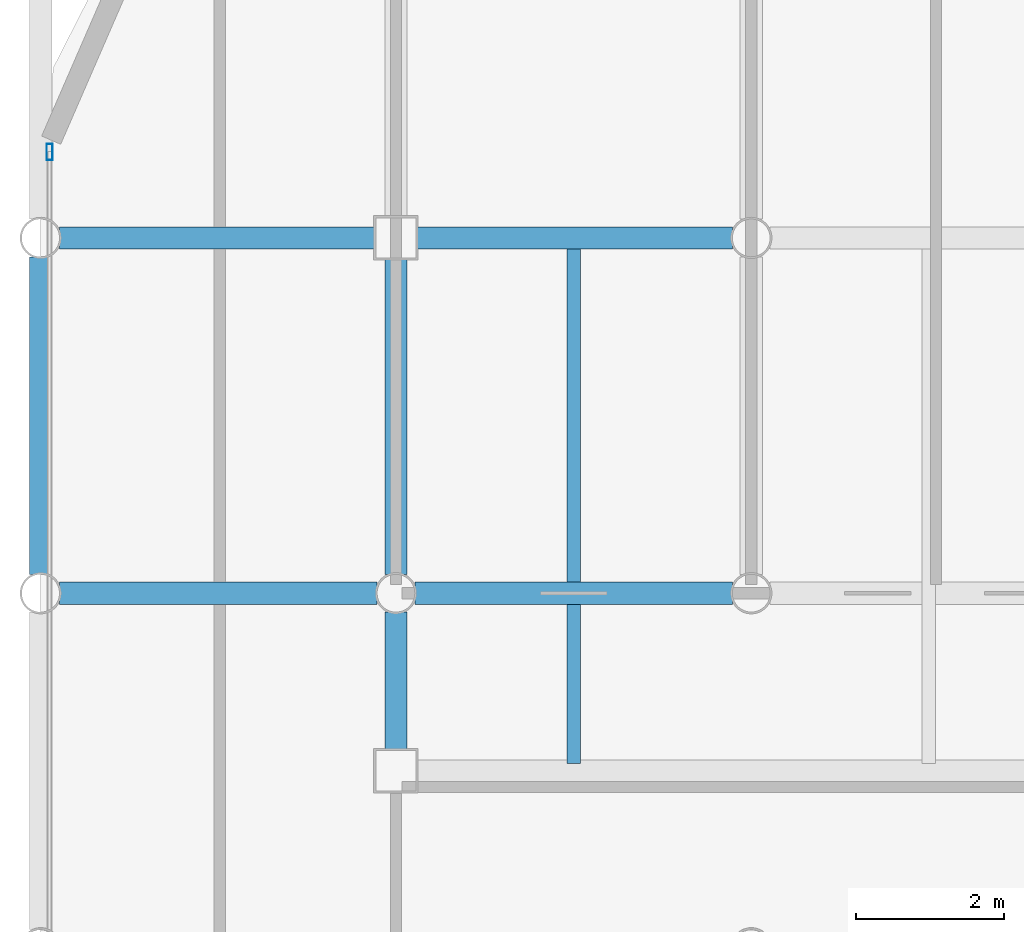
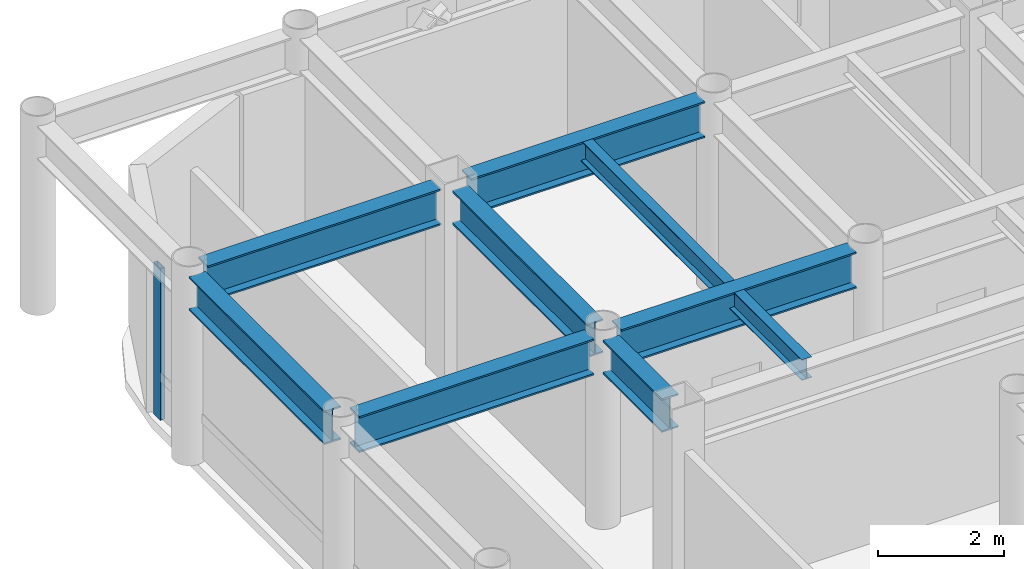
# One storey, part 11 of 22: 8 beams, 1 member, 1 element without a shape of its own.
"""IFC4 building model written with IfcOpenShell, lengths in metres."""

from ifc_helpers import new_model, si_unit, direction, frame, origin, origin_2d, place, context, subcontext, project, spatial, hollow_rectangle, i_section, extrude, material, layer, layer_set, material_profile, profile_set, type_object, element, aggregate, save


model = new_model("IFC4")

# Units and contexts
model_context = context("Model", 3, precision=1e-05, world=origin(), true_north=direction((0.0, 1.0)))
body_context = subcontext(model_context, "Body", "Model", "MODEL_VIEW")
ifc_project = project(units=[si_unit("LENGTHUNIT", "METRE"), si_unit("AREAUNIT", "SQUARE_METRE"), si_unit("VOLUMEUNIT", "CUBIC_METRE"), si_unit("PLANEANGLEUNIT", "RADIAN"), si_unit("MASSUNIT", "GRAM", prefix="KILO")], contexts=[model_context])

# Site, building, storey
site_placement = place(None, origin())
site = spatial("IfcSite", under=ifc_project, at=site_placement, CompositionType="ELEMENT")
building_placement = place(site_placement, origin())
building = spatial("IfcBuilding", under=site, at=building_placement, Name="Kallvorn Hotel Tower", CompositionType="ELEMENT")
storey_placement = place(building_placement, frame((0.0, 0.0, 199.199951171875)))
storey = spatial("IfcBuildingStorey", under=building, at=storey_placement, Name="L49", CompositionType="ELEMENT", Elevation=199.199951171875)

# Beams
ifc_material_1 = material(Name="Structural steel S355JR", Category="steel")
ifc_material_profile_1 = material_profile(ifc_material_1, i_section(OverallWidth=0.300048828125, OverallDepth=0.64990234375, WebThickness=0.01611328125, FlangeThickness=0.031005859375, at=origin_2d()), Name="HE 650 B")
ifc_profile_set_1 = profile_set([ifc_material_profile_1], Name="Structural steel S355JR")
beam_type_1 = type_object("IfcBeamType", Name="BM_HE650B", PredefinedType="BEAM", material=ifc_profile_set_1)
beam_1_placement = place(storey_placement, frame((-28.800048828125, 9.8544921875, 3.344970703125), z_axis=(0.0, 1.0, 0.0), x_axis=(-1.0, 0.0, 0.0)))
element("IfcBeam", 1, at=beam_1_placement, inside=storey, type_object=beam_type_1, Name="L50 Primary Y-Girder 79", PredefinedType="BEAM", context=body_context, shape_type="SweptSolid", body=[
    extrude(i_section(OverallWidth=0.300048828125, OverallDepth=0.64990234375, WebThickness=0.01611328125, FlangeThickness=0.031005859375, at=origin_2d()), origin(), (0.0, 0.0, 1.0), 4.291015625),
])
beam_2_placement = place(storey_placement, frame((-24.0, 7.47509765625, 3.344970703125), z_axis=(0.0, 1.0, 0.0), x_axis=(-1.0, 0.0, 0.0)))
element("IfcBeam", 2, at=beam_2_placement, inside=storey, type_object=beam_type_1, Name="L50 Primary Y-Girder 85", PredefinedType="BEAM", context=body_context, shape_type="SweptSolid", body=[
    extrude(i_section(OverallWidth=0.300048828125, OverallDepth=0.64990234375, WebThickness=0.01611328125, FlangeThickness=0.031005859375, at=origin_2d()), origin(), (0.0, 0.0, 1.0), 1.870361328125),
])
beam_3_placement = place(storey_placement, frame((-24.0, 9.8544921875, 3.344970703125), z_axis=(0.0, 1.0, 0.0), x_axis=(-1.0, 0.0, 0.0)))
element("IfcBeam", 3, at=beam_3_placement, inside=storey, type_object=beam_type_1, Name="L50 Primary Y-Girder 86", PredefinedType="BEAM", context=body_context, shape_type="SweptSolid", body=[
    extrude(i_section(OverallWidth=0.300048828125, OverallDepth=0.64990234375, WebThickness=0.01611328125, FlangeThickness=0.031005859375, at=origin_2d()), origin(), (0.0, 0.0, 1.0), 4.2705078125),
])
ifc_material_2 = material(Name="Structural steel S355JR", Category="steel")
ifc_material_profile_2 = material_profile(ifc_material_2, i_section(OverallWidth=0.300048828125, OverallDepth=0.699951171875, WebThickness=0.01708984375, FlangeThickness=0.031982421875, at=origin_2d()), Name="HE 700 B")
ifc_profile_set_2 = profile_set([ifc_material_profile_2], Name="Structural steel S355JR")
beam_type_2 = type_object("IfcBeamType", Name="BM_HE700B", PredefinedType="BEAM", material=ifc_profile_set_2)
for number, where, z_axis, x_axis, name in (
    (4, (-28.54541015625, 9.60009765625, 3.320068359375), (1.0, 0.0, 0.0), (0.0, 1.0, 0.0), "L50 Primary X-Girder 42"),
    (5, (-23.74560546875, 9.60009765625, 3.320068359375), (1.0, 0.0, 0.0), (0.0, 1.0, 0.0), "L50 Primary X-Girder 43"),
):
    element("IfcBeam", number, at=place(storey_placement, frame(where, z_axis=z_axis, x_axis=x_axis)), inside=storey, type_object=beam_type_2, Name=name, PredefinedType="BEAM", context=body_context, shape_type="SweptSolid", body=[
        extrude(i_section(OverallWidth=0.300048828125, OverallDepth=0.699951171875, WebThickness=0.01708984375, FlangeThickness=0.031982421875, at=origin_2d()), origin(), (0.0, 0.0, 1.0), 4.291015625),
    ])
for number, where, z_axis, x_axis, name in (
    (6, (-28.54541015625, 14.39990234375, 3.320068359375), (1.0, 0.0, 0.0), (0.0, 1.0, 0.0), "L50 Primary X-Girder 51"),
    (7, (-23.72509765625, 14.39990234375, 3.320068359375), (1.0, 0.0, 0.0), (0.0, 1.0, 0.0), "L50 Primary X-Girder 52"),
):
    element("IfcBeam", number, at=place(storey_placement, frame(where, z_axis=z_axis, x_axis=x_axis)), inside=storey, type_object=beam_type_2, Name=name, PredefinedType="BEAM", context=body_context, shape_type="SweptSolid", body=[
        extrude(i_section(OverallWidth=0.300048828125, OverallDepth=0.699951171875, WebThickness=0.01708984375, FlangeThickness=0.031982421875, at=origin_2d()), origin(), (0.0, 0.0, 1.0), 4.2705078125),
    ])
ifc_material_3 = material(Name="Structural steel S355JR", Category="steel")
ifc_material_profile_3 = material_profile(ifc_material_3, i_section(OverallWidth=0.179931640625, OverallDepth=0.39990234375, WebThickness=0.008544921875, FlangeThickness=0.013427734375, at=origin_2d()), Name="IPE 400")
ifc_profile_set_3 = profile_set([ifc_material_profile_3], Name="Structural steel S355JR")
beam_type_3 = type_object("IfcBeamType", Name="BM_IPE400", PredefinedType="JOIST", material=ifc_profile_set_3)
beam_4_placement = place(storey_placement, frame((-21.60009765625, 7.300048828125, 3.469970703125), z_axis=(0.0, 1.0, 0.0), x_axis=(-1.0, 0.0, 0.0)))
element("IfcBeam", 8, at=beam_4_placement, inside=storey, type_object=beam_type_3, Name="L50 Secondary Composite Joist 193", PredefinedType="JOIST", context=body_context, shape_type="SweptSolid", body=[
    extrude(i_section(OverallWidth=0.179931640625, OverallDepth=0.39990234375, WebThickness=0.008544921875, FlangeThickness=0.013427734375, at=origin_2d()), origin(), (0.0, 0.0, 1.0), 7.0),
])

# Curtain wall, member
ifc_material_4 = material(Name="Thermally broken black-anodised aluminium AA 6063-T6", Category="aluminium")
ifc_layer = layer(ifc_material_4, 0.22998046875)
ifc_layer_set = layer_set([ifc_layer], Name="CW_SYS_5_HOTEL_HIGH")
curtain_wall_type = type_object("IfcCurtainWallType", Name="CW_SYS_5_HOTEL_HIGH", PredefinedType="USERDEFINED", material=ifc_layer_set)
curtain_wall_placement = place(storey_placement, origin())
curtain_wall = element("IfcCurtainWall", 9, at=curtain_wall_placement, inside=storey, type_object=curtain_wall_type, Name="L49 Dark-Glass Curtain Wall CW-L49-WN", ObjectType="UNITISED CURTAIN WALL", PredefinedType="USERDEFINED")
ifc_material_5 = material(Name="Thermally broken black-anodised aluminium AA 6063-T6", Category="aluminium")
ifc_material_profile_4 = material_profile(ifc_material_5, hollow_rectangle(XDim=0.080078125, YDim=0.219970703125, WallThickness=0.0048828125, at=origin_2d()), Name="MUL 220x80")
ifc_profile_set_4 = profile_set([ifc_material_profile_4], Name="Thermally broken black-anodised aluminium AA 6063-T6")
member_type = type_object("IfcMemberType", Name="CW_MULLION_220x80", PredefinedType="MULLION", material=ifc_profile_set_4)
member_placement = place(storey_placement, frame((-28.679931640625, 15.56005859375, 0.02001953125), z_axis=(0.0, 0.0, 1.0), x_axis=(1.0, 0.0, 0.0)))
member = element("IfcMember", 10, at=member_placement, type_object=member_type, Name="CW-L49-WN Mullion 01", PredefinedType="MULLION", context=body_context, shape_type="SweptSolid", body=[
    extrude(hollow_rectangle(XDim=0.080078125, YDim=0.219970703125, WallThickness=0.0048828125, at=origin_2d()), origin(), (0.0, 0.0, 1.0), 2.929931640625),
])
aggregate(curtain_wall, [member])

save(model, "model.ifc")
